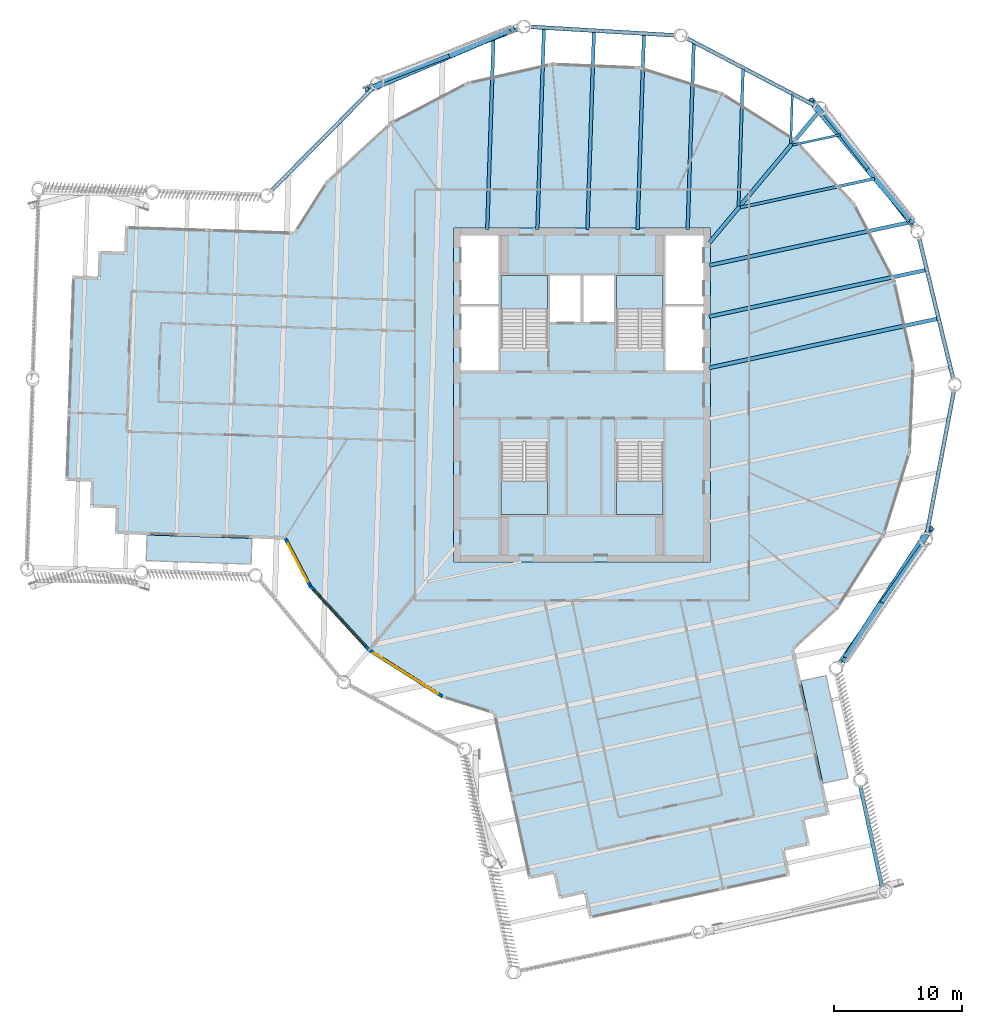
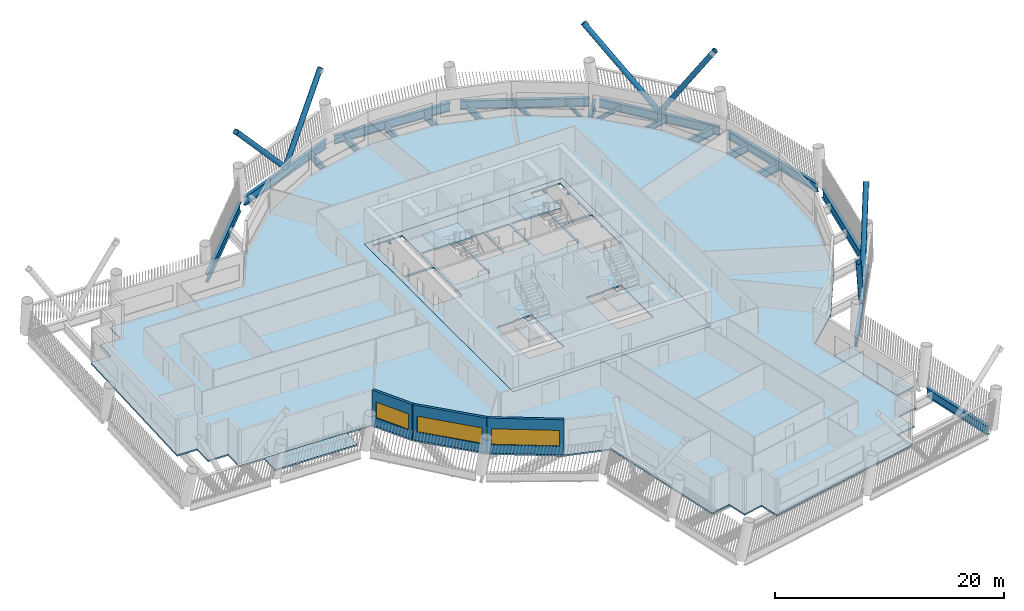
# One storey, part 2 of 21: 22 beams, 8 slabs, 6 members, 3 walls, 3 windows, 3 openings, 4 elements without a shape of their own.
"""IFC4 building model written with IfcOpenShell, lengths in metres."""

import ifcopenshell
import ifcopenshell.guid

model = None  # the IFC model being written
_history = None  # IfcOwnerHistory: only IFC2X3 demands one
_inside = {}  # id of a spatial element -> (the spatial element, [elements in it])
_under = {}  # id of a project, library or spatial element -> (it, [spatial elements below it])
_declared = {}  # id of a project -> (the project, [libraries it declares])
_typed = {}  # id of a type object -> (the type object, [elements of that type])
_made_of = {}  # id of a material, layer set ... -> (it, [elements and type objects made of it])


def new_model(schema):
    """Start an empty IFC model of exactly this schema.

    Asked for "IFC4X3", IfcOpenShell would pick the latest addendum, in which some entities
    have other attributes; the version numbers below select the first issue.
    IFC2X3 requires an IfcOwnerHistory on every rooted entity: one is made here for all.
    """
    global model, _history
    if schema == "IFC4X3":
        model = ifcopenshell.file(schema_version=(4, 3, 0, 0))
    else:
        model = ifcopenshell.file(schema=schema)
    _inside.clear()
    _under.clear()
    _declared.clear()
    _typed.clear()
    _made_of.clear()
    _history = None
    if model.schema == "IFC2X3":
        org = make("IfcOrganization", Name="unknown")
        user = make(
            "IfcPersonAndOrganization",
            ThePerson=make("IfcPerson", FamilyName="unknown"),
            TheOrganization=org,
        )
        app = make(
            "IfcApplication",
            ApplicationDeveloper=org,
            Version="unknown",
            ApplicationFullName="unknown",
            ApplicationIdentifier="unknown",
        )
        _history = make(
            "IfcOwnerHistory",
            OwningUser=user,
            OwningApplication=app,
            ChangeAction="ADDED",
            CreationDate=0,
        )
    return model


def make(cls, **values):
    """One entity of the class cls with the attributes given. An attribute that is None is left unset."""
    return model.create_entity(
        cls, **{name: value for name, value in values.items() if value is not None}
    )


def rooted(cls, **values):
    """An entity with a GlobalId (a new one), such as an element, a storey or a relation."""
    return make(cls, GlobalId=ifcopenshell.guid.new(), OwnerHistory=_history, **values)


def si_unit(unit_type, name, prefix=None):
    """IfcSIUnit, for example si_unit("LENGTHUNIT", "METRE", prefix="MILLI")."""
    return make("IfcSIUnit", UnitType=unit_type, Prefix=prefix, Name=name)


def assignment(units):
    """IfcUnitAssignment: the units of a project."""
    return None if units is None else make("IfcUnitAssignment", Units=units)


def point(xyz):
    """IfcCartesianPoint."""
    return None if xyz is None else make("IfcCartesianPoint", Coordinates=xyz)


def direction(xyz):
    """IfcDirection."""
    return None if xyz is None else make("IfcDirection", DirectionRatios=xyz)


def frame(location, z_axis=None, x_axis=None):
    """IfcAxis2Placement3D, a coordinate frame: its origin and axes. An axis left out is left unset."""
    return make(
        "IfcAxis2Placement3D",
        Location=point(location),
        Axis=direction(z_axis),
        RefDirection=direction(x_axis),
    )


def frame_2d(location, x_axis=None):
    """IfcAxis2Placement2D, a coordinate frame in the plane: its origin and x axis."""
    return make(
        "IfcAxis2Placement2D", Location=point(location), RefDirection=direction(x_axis)
    )


def origin():
    """The frame at (0, 0, 0) with its axes left unset."""
    return frame((0.0, 0.0, 0.0))


def origin_2d():
    """The frame at (0, 0) in the plane with its x axis left unset."""
    return frame_2d((0.0, 0.0))


def place(relative_to, where):
    """IfcLocalPlacement: puts the frame where relative to a parent placement (None: the world)."""
    return make(
        "IfcLocalPlacement", PlacementRelTo=relative_to, RelativePlacement=where
    )


def context(
    kind, dimensions, precision=None, world=None, true_north=None, identifier=None
):
    """IfcGeometricRepresentationContext, for example the 3D "Model" context."""
    return make(
        "IfcGeometricRepresentationContext",
        ContextIdentifier=identifier,
        ContextType=kind,
        CoordinateSpaceDimension=dimensions,
        Precision=precision,
        WorldCoordinateSystem=world,
        TrueNorth=true_north,
    )


def subcontext(parent, identifier, kind, view, scale=None):
    """IfcGeometricRepresentationSubContext, for example "Body" below "Model"."""
    return make(
        "IfcGeometricRepresentationSubContext",
        ContextIdentifier=identifier,
        ContextType=kind,
        ParentContext=parent,
        TargetScale=scale,
        TargetView=view,
    )


def project(units=None, contexts=None):
    """IfcProject with its units and contexts."""
    return rooted(
        "IfcProject",
        Name="project",
        RepresentationContexts=contexts,
        UnitsInContext=assignment(units),
    )


def spatial(cls, under=None, at=None, **own):
    """A site, building, storey or space (cls), placed at a placement, below another one or the project."""
    s = rooted(cls, ObjectPlacement=at, **own)
    if under is not None:
        _under.setdefault(under.id(), (under, []))[1].append(s)
    return s


def polyline(points):
    """IfcPolyline through the points."""
    return make("IfcPolyline", Points=[point(p) for p in points])


def profile(cls, at=None, kind="AREA", **sizes):
    """A parametric profile (cls). Its sizes go by their IFC names, for example OverallWidth=200.0."""
    return make(cls, ProfileType=kind, Position=at, **sizes)


def rectangle(**sizes):
    """IfcRectangleProfileDef."""
    return profile("IfcRectangleProfileDef", **sizes)


def hollow_circle(**sizes):
    """IfcCircleHollowProfileDef."""
    return profile("IfcCircleHollowProfileDef", **sizes)


def i_section(**sizes):
    """IfcIShapeProfileDef."""
    return profile("IfcIShapeProfileDef", **sizes)


def outline(outer, holes=None, kind="AREA"):
    """IfcArbitraryClosedProfileDef: a profile drawn as a closed curve; with holes, ...WithVoids."""
    if holes is None:
        return make("IfcArbitraryClosedProfileDef", ProfileType=kind, OuterCurve=outer)
    return make(
        "IfcArbitraryProfileDefWithVoids",
        ProfileType=kind,
        OuterCurve=outer,
        InnerCurves=holes,
    )


def extrude(swept, where, along, depth):
    """IfcExtrudedAreaSolid: the profile swept, set in the frame where, extruded along a direction by depth."""
    return make(
        "IfcExtrudedAreaSolid",
        SweptArea=swept,
        Position=where,
        ExtrudedDirection=direction(along),
        Depth=depth,
    )


def shape(context_of_items, identifier, shape_type, items):
    """IfcShapeRepresentation: the items that make up one representation, for example the "Body"."""
    return make(
        "IfcShapeRepresentation",
        ContextOfItems=context_of_items,
        RepresentationIdentifier=identifier,
        RepresentationType=shape_type,
        Items=items,
    )


def material(Name=None, Category=None):
    """IfcMaterial."""
    return make("IfcMaterial", Name=Name, Category=Category)


def layer(
    of_material, thickness, ventilated=None, Name=None, Category=None, Priority=None
):
    """IfcMaterialLayer: one layer of a wall or slab, of a material (None: an air gap)."""
    return make(
        "IfcMaterialLayer",
        Material=of_material,
        LayerThickness=thickness,
        IsVentilated=ventilated,
        Name=Name,
        Category=Category,
        Priority=Priority,
    )


def layer_set(layers, Name=None):
    """IfcMaterialLayerSet."""
    return make("IfcMaterialLayerSet", MaterialLayers=layers, LayerSetName=Name)


def material_profile(
    of_material, cross_section, Name=None, Category=None, Priority=None
):
    """IfcMaterialProfile: a cross section and its material."""
    return make(
        "IfcMaterialProfile",
        Name=Name,
        Material=of_material,
        Profile=cross_section,
        Priority=Priority,
        Category=Category,
    )


def profile_set(profiles, Name=None, composite=None):
    """IfcMaterialProfileSet."""
    return make(
        "IfcMaterialProfileSet",
        Name=Name,
        MaterialProfiles=profiles,
        CompositeProfile=composite,
    )


def made_of(thing, what):
    """Note that an element or type object is made of a material, layer set ...; save() writes the relation."""
    if what is not None:
        _made_of.setdefault(what.id(), (what, []))[1].append(thing)
    return thing


def type_object(cls, material=None, **own):
    """A type object (cls), such as IfcWallType, which elements share."""
    return made_of(rooted(cls, **own), material)


def element(
    cls,
    number,
    at=None,
    inside=None,
    cuts=None,
    type_object=None,
    material=None,
    context=None,
    identifier="Body",
    shape_type=None,
    held_by="IfcProductDefinitionShape",
    body=None,
    shapes=None,
    **own,
):
    """One element of the class cls, such as IfcWall. Its Tag is "e" and its number.

    at: its placement. inside: the storey or other place that contains it. cuts: it is an
    opening in that element (IfcRelVoidsElement). A single representation is given by context,
    identifier, shape_type and body (its items); several are given by shapes. held_by: the class
    of the entity that holds the representations. save() writes the other relations.
    """
    e = rooted(cls, Tag="e%d" % number, ObjectPlacement=at, **own)
    if body is not None:
        shapes = [shape(context, identifier, shape_type, body)]
    if shapes is not None:
        e.Representation = make(held_by, Representations=shapes)
    if inside is not None:
        _inside.setdefault(inside.id(), (inside, []))[1].append(e)
    if cuts is not None:
        rooted(
            "IfcRelVoidsElement", RelatingBuildingElement=cuts, RelatedOpeningElement=e
        )
    if type_object is not None:
        _typed.setdefault(type_object.id(), (type_object, []))[1].append(e)
    return made_of(e, material)


def fill(opening, filler):
    """IfcRelFillsElement: the door or window that sits in an opening."""
    return rooted(
        "IfcRelFillsElement",
        RelatingOpeningElement=opening,
        RelatedBuildingElement=filler,
    )


def aggregate(whole, parts):
    """IfcRelAggregates: a whole, such as a stair, and the parts it consists of."""
    return rooted("IfcRelAggregates", RelatingObject=whole, RelatedObjects=parts)


def save(model, path):
    """Write the relations noted so far, then the file.

    IfcRelAggregates (storeys below a building ...), IfcRelContainedInSpatialStructure (elements
    in a storey), IfcRelDefinesByType, IfcRelAssociatesMaterial and IfcRelDeclares: one each for
    every whole, place, type object, material and project.
    """
    for whole, parts in _under.values():
        aggregate(whole, parts)
    for where, things in _inside.values():
        rooted(
            "IfcRelContainedInSpatialStructure",
            RelatedElements=things,
            RelatingStructure=where,
        )
    for kind, things in _typed.values():
        rooted("IfcRelDefinesByType", RelatedObjects=things, RelatingType=kind)
    for what, things in _made_of.values():
        rooted("IfcRelAssociatesMaterial", RelatedObjects=things, RelatingMaterial=what)
    for by, libraries in _declared.values():
        rooted("IfcRelDeclares", RelatingContext=by, RelatedDefinitions=libraries)
    model.write(path)


model = new_model("IFC4")

# Units and contexts
model_context = context("Model", 3, precision=1e-05, world=origin(), true_north=direction((0.0, 1.0)))
body_context = subcontext(model_context, "Body", "Model", "MODEL_VIEW")
ifc_project = project(units=[si_unit("LENGTHUNIT", "METRE"), si_unit("AREAUNIT", "SQUARE_METRE"), si_unit("VOLUMEUNIT", "CUBIC_METRE"), si_unit("PLANEANGLEUNIT", "RADIAN"), si_unit("MASSUNIT", "GRAM", prefix="KILO")], contexts=[model_context])

# Site, building, storey
site_placement = place(None, origin())
site = spatial("IfcSite", under=ifc_project, at=site_placement, CompositionType="ELEMENT")
building_placement = place(site_placement, origin())
building = spatial("IfcBuilding", under=site, at=building_placement, Name="Tarsis Ring Headquarters", CompositionType="ELEMENT")
storey_placement = place(building_placement, frame((0.0, 0.0, 278.60009765625)))
storey = spatial("IfcBuildingStorey", under=building, at=storey_placement, Name="L65", CompositionType="ELEMENT", Elevation=278.60009765625)

# Beams
ifc_material_1 = material(Name="Structural steel S355", Category="steel")
ifc_material_profile_1 = material_profile(ifc_material_1, i_section(OverallWidth=0.177734375, OverallDepth=0.406494140625, WebThickness=0.0078125, FlangeThickness=0.0126953125, at=origin_2d()), Name="W16x40")
ifc_profile_set_1 = profile_set([ifc_material_profile_1], Name="Structural steel S355")
beam_type_1 = type_object("IfcBeamType", Name="FB Floor beam W16x40", PredefinedType="JOIST", material=ifc_profile_set_1)
for number, where, z_axis, x_axis, name in (
    (1, (16.39501953125, 19.476318359375, -0.36328125), (0.977700892267, 0.210002298227, 0.0), (-0.210002298227, 0.977700892267, 0.0), "Floor beam FB1"),
    (2, (16.37646484375, 23.3994140625, -0.36328125), (-0.032785036576, -0.999462426196, 0.0), (0.999462426196, -0.032785036576, 0.0), "Floor beam FB1"),
):
    element("IfcBeam", number, at=place(storey_placement, frame(where, z_axis=z_axis, x_axis=x_axis)), inside=storey, type_object=beam_type_1, Name=name, PredefinedType="JOIST", context=body_context, shape_type="SweptSolid", body=[
        extrude(i_section(OverallWidth=0.177734375, OverallDepth=0.406494140625, WebThickness=0.0078125, FlangeThickness=0.0126953125, at=origin_2d()), origin(), (0.0, 0.0, 1.0), 3.80517578125),
    ])
ifc_material_profile_2 = material_profile(ifc_material_1, i_section(OverallWidth=0.228271484375, OverallDepth=0.607177734375, WebThickness=0.01123046875, FlangeThickness=0.017333984375, at=origin_2d()), Name="W24x76")
ifc_profile_set_2 = profile_set([ifc_material_profile_2], Name="Structural steel S355")
beam_type_2 = type_object("IfcBeamType", Name="FB Floor beam W24x76", PredefinedType="JOIST", material=ifc_profile_set_2)
for number, where, z_axis, x_axis, name in (
    (3, (12.333251953125, 14.615234375, -0.463623046875), (0.977709024148, 0.20996443532, 0.0), (-0.20996443532, 0.977709024148, 0.0), "Floor beam FB4"),
    (4, (12.54052734375, 25.4140625, -0.463623046875), (-0.032811933347, -0.999461543547, 0.0), (0.999461543547, -0.032811933347, 0.0), "Floor beam FB4"),
):
    element("IfcBeam", number, at=place(storey_placement, frame(where, z_axis=z_axis, x_axis=x_axis)), inside=storey, type_object=beam_type_2, Name=name, PredefinedType="JOIST", context=body_context, shape_type="SweptSolid", body=[
        extrude(i_section(OverallWidth=0.228271484375, OverallDepth=0.607177734375, WebThickness=0.01123046875, FlangeThickness=0.017333984375, at=origin_2d()), origin(), (0.0, 0.0, 1.0), 10.684814453125),
    ])
ifc_material_profile_3 = material_profile(ifc_material_1, i_section(OverallWidth=0.2666015625, OverallDepth=0.7568359375, WebThickness=0.013916015625, FlangeThickness=0.019287109375, at=origin_2d()), Name="W30x108")
ifc_profile_set_3 = profile_set([ifc_material_profile_3], Name="Structural steel S355")
beam_type_3 = type_object("IfcBeamType", Name="FB Floor beam W30x108", PredefinedType="JOIST", material=ifc_profile_set_3)
beam_1_placement = place(storey_placement, frame((8.70458984375, 27.4287109375, -0.53857421875), z_axis=(-0.032817682825, -0.999461354778, 0.0), x_axis=(0.999461354778, -0.032817682825, 0.0)))
element("IfcBeam", 5, at=beam_1_placement, inside=storey, type_object=beam_type_3, Name="Floor beam FB6", PredefinedType="JOIST", context=body_context, shape_type="SweptSolid", body=[
    extrude(i_section(OverallWidth=0.2666015625, OverallDepth=0.7568359375, WebThickness=0.013916015625, FlangeThickness=0.019287109375, at=origin_2d()), origin(), (0.0, 0.0, 1.0), 14.536376953125),
])
beam_2_placement = place(storey_placement, frame((4.82470703125, 28.105712890625, -0.53857421875), z_axis=(-0.032816841576, -0.9994613824, 0.0), x_axis=(0.9994613824, -0.032816841576, 0.0)))
element("IfcBeam", 6, at=beam_2_placement, inside=storey, type_object=beam_type_3, Name="Floor beam FB6", PredefinedType="JOIST", context=body_context, shape_type="SweptSolid", body=[
    extrude(i_section(OverallWidth=0.2666015625, OverallDepth=0.7568359375, WebThickness=0.013916015625, FlangeThickness=0.019287109375, at=origin_2d()), origin(), (0.0, 0.0, 1.0), 15.2138671875),
])
beam_3_placement = place(storey_placement, frame((0.93017578125, 28.3349609375, -0.53857421875), z_axis=(-0.032819500619, -0.999461295088, 0.0), x_axis=(0.999461295088, -0.032819500619, 0.0)))
element("IfcBeam", 7, at=beam_3_placement, inside=storey, type_object=beam_type_3, Name="Floor beam FB6", PredefinedType="JOIST", context=body_context, shape_type="SweptSolid", body=[
    extrude(i_section(OverallWidth=0.2666015625, OverallDepth=0.7568359375, WebThickness=0.013916015625, FlangeThickness=0.019287109375, at=origin_2d()), origin(), (0.0, 0.0, 1.0), 15.443115234375),
])
beam_4_placement = place(storey_placement, frame((-2.964599609375, 28.56396484375, -0.53857421875), z_axis=(-0.032807031743, -0.999461704453, 0.0), x_axis=(0.999461704453, -0.032807031743, 0.0)))
element("IfcBeam", 8, at=beam_4_placement, inside=storey, type_object=beam_type_3, Name="Floor beam FB6", PredefinedType="JOIST", context=body_context, shape_type="SweptSolid", body=[
    extrude(i_section(OverallWidth=0.2666015625, OverallDepth=0.7568359375, WebThickness=0.013916015625, FlangeThickness=0.019287109375, at=origin_2d()), origin(), (0.0, 0.0, 1.0), 15.67236328125),
])
beam_5_placement = place(storey_placement, frame((-6.89501953125, 27.7001953125, -0.53857421875), z_axis=(-0.032809235214, -0.999461632122, 0.0), x_axis=(0.999461632122, -0.032809235214, 0.0)))
element("IfcBeam", 9, at=beam_5_placement, inside=storey, type_object=beam_type_3, Name="Floor beam FB6", PredefinedType="JOIST", context=body_context, shape_type="SweptSolid", body=[
    extrude(i_section(OverallWidth=0.2666015625, OverallDepth=0.7568359375, WebThickness=0.013916015625, FlangeThickness=0.019287109375, at=origin_2d()), origin(), (0.0, 0.0, 1.0), 14.80810546875),
])
ifc_material_profile_4 = material_profile(ifc_material_1, i_section(OverallWidth=0.2919921875, OverallDepth=0.835693359375, WebThickness=0.013916015625, FlangeThickness=0.018798828125, at=origin_2d()), Name="W33x118")
ifc_profile_set_4 = profile_set([ifc_material_profile_4], Name="Structural steel S355")
beam_type_4 = type_object("IfcBeamType", Name="FB Floor beam W33x118", PredefinedType="JOIST", material=ifc_profile_set_4)
beam_6_placement = place(storey_placement, frame((9.90234375, 10.104248046875, -0.577880859375), z_axis=(0.977709268848, 0.20996329586, 0.0), x_axis=(-0.20996329586, 0.977709268848, 0.0)))
element("IfcBeam", 10, at=beam_6_placement, inside=storey, type_object=beam_type_4, Name="Floor beam FB7", PredefinedType="JOIST", context=body_context, shape_type="SweptSolid", body=[
    extrude(i_section(OverallWidth=0.2919921875, OverallDepth=0.835693359375, WebThickness=0.013916015625, FlangeThickness=0.018798828125, at=origin_2d()), origin(), (0.0, 0.0, 1.0), 15.896240234375),
])
beam_7_placement = place(storey_placement, frame((9.90234375, 6.115478515625, -0.577880859375), z_axis=(0.977711364809, 0.209953535631, 0.0), x_axis=(-0.209953535631, 0.977711364809, 0.0)))
element("IfcBeam", 11, at=beam_7_placement, inside=storey, type_object=beam_type_4, Name="Floor beam FB7", PredefinedType="JOIST", context=body_context, shape_type="SweptSolid", body=[
    extrude(i_section(OverallWidth=0.2919921875, OverallDepth=0.835693359375, WebThickness=0.013916015625, FlangeThickness=0.018798828125, at=origin_2d()), origin(), (0.0, 0.0, 1.0), 17.283203125),
])
ifc_material_profile_5 = material_profile(ifc_material_1, i_section(OverallWidth=0.3046875, OverallDepth=0.904296875, WebThickness=0.01513671875, FlangeThickness=0.02001953125, at=origin_2d()), Name="W36x135")
ifc_profile_set_5 = profile_set([ifc_material_profile_5], Name="Structural steel S355")
beam_type_5 = type_object("IfcBeamType", Name="FB Floor beam W36x135", PredefinedType="JOIST", material=ifc_profile_set_5)
beam_8_placement = place(storey_placement, frame((9.90234375, 2.12646484375, -0.6123046875), z_axis=(0.977709774078, 0.209960943207, 0.0), x_axis=(-0.209960943207, 0.977709774078, 0.0)))
element("IfcBeam", 12, at=beam_8_placement, inside=storey, type_object=beam_type_5, Name="Floor beam FB8", PredefinedType="JOIST", context=body_context, shape_type="SweptSolid", body=[
    extrude(i_section(OverallWidth=0.3046875, OverallDepth=0.904296875, WebThickness=0.01513671875, FlangeThickness=0.02001953125, at=origin_2d()), origin(), (0.0, 0.0, 1.0), 18.22216796875),
])
ifc_material_profile_6 = material_profile(ifc_material_1, i_section(OverallWidth=0.309814453125, OverallDepth=0.949951171875, WebThickness=0.0244140625, FlangeThickness=0.0439453125, at=origin_2d()), Name="W36x256")
ifc_profile_set_6 = profile_set([ifc_material_profile_6], Name="Structural steel S355")
beam_type_6 = type_object("IfcBeamType", Name="FB Floor beam W36x256 spine", PredefinedType="BEAM", material=ifc_profile_set_6)
beam_9_placement = place(storey_placement, frame((18.587890625, 22.24658203125, -0.635009765625), z_axis=(-0.641187553773, -0.767384206826, 0.0), x_axis=(0.767384206826, -0.641187553773, 0.0)))
element("IfcBeam", 13, at=beam_9_placement, inside=storey, type_object=beam_type_6, Name="Floor beam SB11", PredefinedType="BEAM", context=body_context, shape_type="SweptSolid", body=[
    extrude(i_section(OverallWidth=0.309814453125, OverallDepth=0.949951171875, WebThickness=0.0244140625, FlangeThickness=0.0439453125, at=origin_2d()), origin(), (0.0, 0.0, 1.0), 13.493896484375),
])

# Members
ifc_material_profile_7 = material_profile(ifc_material_1, hollow_circle(Radius=0.25390625, WallThickness=0.02001953125, at=origin_2d()), Name="CHS 508x20")
ifc_profile_set_7 = profile_set([ifc_material_profile_7], Name="Structural steel S355")
member_type = type_object("IfcMemberType", Name="XD X brace CHS 508x20", PredefinedType="BRACE", material=ifc_profile_set_7)
member_1_placement = place(storey_placement, frame((23.23779296875, -16.31884765625, 0.0), z_axis=(0.369224669833, 0.563815112411, 0.738773078965), x_axis=(-0.836577717628, 0.547848265826, 0.0)))
element("IfcMember", 14, at=member_1_placement, inside=storey, type_object=member_type, Name="X brace XD2", PredefinedType="BRACE", context=body_context, shape_type="SweptSolid", body=[
    extrude(hollow_circle(Radius=0.25390625, WallThickness=0.02001953125, at=origin_2d()), origin(), (0.0, 0.0, 1.0), 10.557861328125),
])
member_2_placement = place(storey_placement, frame((23.23779296875, -16.31884765625, 0.0), z_axis=(-0.298483812329, -0.461687732841, 0.835315420139), x_axis=(0.839781901122, -0.542923897565, 0.0)))
element("IfcMember", 15, at=member_2_placement, inside=storey, type_object=member_type, Name="X brace XD2", PredefinedType="BRACE", context=body_context, shape_type="SweptSolid", body=[
    extrude(hollow_circle(Radius=0.25390625, WallThickness=0.02001953125, at=origin_2d()), origin(), (0.0, 0.0, 1.0), 9.337646484375),
])
member_3_placement = place(storey_placement, frame((22.3916015625, 17.4619140625, 0.0), z_axis=(-0.431475274845, 0.517728706174, 0.738773357669), x_axis=(-0.768195967373, -0.640214773113, 0.0)))
element("IfcMember", 16, at=member_3_placement, inside=storey, type_object=member_type, Name="X brace XD2", PredefinedType="BRACE", context=body_context, shape_type="SweptSolid", body=[
    extrude(hollow_circle(Radius=0.25390625, WallThickness=0.02001953125, at=origin_2d()), origin(), (0.0, 0.0, 1.0), 10.557861328125),
])
member_4_placement = place(storey_placement, frame((22.3916015625, 17.4619140625, 0.0), z_axis=(0.354439307808, -0.420249556978, 0.835322145606), x_axis=(0.764422588465, 0.644715523501, 0.0)))
element("IfcMember", 17, at=member_4_placement, inside=storey, type_object=member_type, Name="X brace XD2", PredefinedType="BRACE", context=body_context, shape_type="SweptSolid", body=[
    extrude(hollow_circle(Radius=0.25390625, WallThickness=0.02001953125, at=origin_2d()), origin(), (0.0, 0.0, 1.0), 9.33740234375),
])
member_5_placement = place(storey_placement, frame((-10.1650390625, 26.513671875, 0.0), z_axis=(-0.621121733022, -0.261560235376, 0.738778746336), x_axis=(0.388101483927, -0.921616643824, 0.0)))
element("IfcMember", 18, at=member_5_placement, inside=storey, type_object=member_type, Name="X brace XD2", PredefinedType="BRACE", context=body_context, shape_type="SweptSolid", body=[
    extrude(hollow_circle(Radius=0.25390625, WallThickness=0.02001953125, at=origin_2d()), origin(), (0.0, 0.0, 1.0), 10.5576171875),
])
member_6_placement = place(storey_placement, frame((-10.1650390625, 26.513671875, 0.0), z_axis=(0.505430136483, 0.216306632824, 0.835315400152), x_axis=(-0.393448585231, 0.919346621672, 0.0)))
element("IfcMember", 19, at=member_6_placement, inside=storey, type_object=member_type, Name="X brace XD2", PredefinedType="BRACE", context=body_context, shape_type="SweptSolid", body=[
    extrude(hollow_circle(Radius=0.25390625, WallThickness=0.02001953125, at=origin_2d()), origin(), (0.0, 0.0, 1.0), 9.337646484375),
])

# Beams
ifc_material_profile_8 = material_profile(ifc_material_1, i_section(OverallWidth=0.309814453125, OverallDepth=0.93212890625, WebThickness=0.02099609375, FlangeThickness=0.034423828125, at=origin_2d()), Name="W36x210")
ifc_profile_set_8 = profile_set([ifc_material_profile_8], Name="Structural steel S355")
beam_type_7 = type_object("IfcBeamType", Name="XG Ring girder W36x210", PredefinedType="BEAM", material=ifc_profile_set_8)
beam_10_placement = place(storey_placement, frame((23.3603515625, -38.29150390625, -0.46630859375), z_axis=(-0.209944442686, 0.977713317381, 0.0), x_axis=(-0.977713317381, -0.209944442686, 0.0)))
element("IfcBeam", 20, at=beam_10_placement, inside=storey, type_object=beam_type_7, Name="Ring girder XG3", PredefinedType="BEAM", context=body_context, shape_type="SweptSolid", body=[
    extrude(i_section(OverallWidth=0.309814453125, OverallDepth=0.93212890625, WebThickness=0.02099609375, FlangeThickness=0.034423828125, at=origin_2d()), origin(), (0.0, 0.0, 1.0), 7.98779296875),
])
for number, where, z_axis, x_axis, name in (
    (21, (19.98095703125, -20.956787109375, -0.46630859375), (0.574703476868, 0.818361725447, 0.0), (-0.818361725447, 0.574703476868, 0.0), "Ring girder XG3"),
    (22, (26.8427734375, -10.857666015625, -0.46630859375), (0.186297444448, 0.982493390406, 0.0), (-0.982493390406, 0.186297444448, 0.0), "Ring girder XG3"),
    (23, (28.931884765625, 1.171875, -0.46630859375), (-0.235256011697, 0.971933438544, 0.0), (-0.971933438544, -0.235256011697, 0.0), "Ring girder XG3"),
):
    element("IfcBeam", number, at=place(storey_placement, frame(where, z_axis=z_axis, x_axis=x_axis)), inside=storey, type_object=beam_type_7, Name=name, PredefinedType="BEAM", context=body_context, shape_type="SweptSolid", body=[
        extrude(i_section(OverallWidth=0.309814453125, OverallDepth=0.93212890625, WebThickness=0.02099609375, FlangeThickness=0.034423828125, at=origin_2d()), origin(), (0.0, 0.0, 1.0), 11.33447265625),
    ])
beam_11_placement = place(storey_placement, frame((25.876708984375, 12.9931640625, -0.46630859375), z_axis=(-0.614964567925, 0.788554741407, 0.0), x_axis=(-0.788554741407, -0.614964567925, 0.0)))
element("IfcBeam", 24, at=beam_11_placement, inside=storey, type_object=beam_type_7, Name="Ring girder XG3", PredefinedType="BEAM", context=body_context, shape_type="SweptSolid", body=[
    extrude(i_section(OverallWidth=0.309814453125, OverallDepth=0.93212890625, WebThickness=0.02099609375, FlangeThickness=0.034423828125, at=origin_2d()), origin(), (0.0, 0.0, 1.0), 11.334228515625),
])
beam_12_placement = place(storey_placement, frame((18.220703125, 22.504150390625, -0.46630859375), z_axis=(-0.885322982725, 0.464976576032, 0.0), x_axis=(-0.464976576032, -0.885322982725, 0.0)))
element("IfcBeam", 25, at=beam_12_placement, inside=storey, type_object=beam_type_7, Name="Ring girder XG3", PredefinedType="BEAM", context=body_context, shape_type="SweptSolid", body=[
    extrude(i_section(OverallWidth=0.309814453125, OverallDepth=0.93212890625, WebThickness=0.02099609375, FlangeThickness=0.034423828125, at=origin_2d()), origin(), (0.0, 0.0, 1.0), 11.33447265625),
])
beam_13_placement = place(storey_placement, frame((7.32470703125, 28.013671875, -0.46630859375), z_axis=(-0.998273333154, 0.058739699633, 0.0), x_axis=(-0.058739699633, -0.998273333154, 0.0)))
element("IfcBeam", 26, at=beam_13_placement, inside=storey, type_object=beam_type_7, Name="Ring girder XG3", PredefinedType="BEAM", context=body_context, shape_type="SweptSolid", body=[
    extrude(i_section(OverallWidth=0.309814453125, OverallDepth=0.93212890625, WebThickness=0.02099609375, FlangeThickness=0.034423828125, at=origin_2d()), origin(), (0.0, 0.0, 1.0), 11.334228515625),
])
beam_14_placement = place(storey_placement, frame((-4.873291015625, 28.54248046875, -0.46630859375), z_axis=(-0.933735318459, -0.357964181256, 0.0), x_axis=(0.357964181256, -0.933735318459, 0.0)))
element("IfcBeam", 27, at=beam_14_placement, inside=storey, type_object=beam_type_7, Name="Ring girder XG3", PredefinedType="BEAM", context=body_context, shape_type="SweptSolid", body=[
    extrude(i_section(OverallWidth=0.309814453125, OverallDepth=0.93212890625, WebThickness=0.02099609375, FlangeThickness=0.034423828125, at=origin_2d()), origin(), (0.0, 0.0, 1.0), 11.33447265625),
])
beam_15_placement = place(storey_placement, frame((-16.205078125, 23.996337890625, -0.46630859375), z_axis=(-0.703154082445, -0.711037506987, 0.0), x_axis=(0.711037506987, -0.703154082445, 0.0)))
element("IfcBeam", 28, at=beam_15_placement, inside=storey, type_object=beam_type_7, Name="Ring girder XG3", PredefinedType="BEAM", context=body_context, shape_type="SweptSolid", body=[
    extrude(i_section(OverallWidth=0.309814453125, OverallDepth=0.93212890625, WebThickness=0.02099609375, FlangeThickness=0.034423828125, at=origin_2d()), origin(), (0.0, 0.0, 1.0), 11.334716796875),
])

# Slabs
ifc_material_2 = material(Name="Concrete C40/50", Category="concrete")
ifc_layer_1 = layer(ifc_material_2, 0.159912109375)
ifc_layer_set_1 = layer_set([ifc_layer_1], Name="Balcony slab concrete C40/50")
slab_type_1 = type_object("IfcSlabType", Name="Balcony slab concrete C40/50", PredefinedType="FLOOR", material=ifc_layer_set_1)
slab_1_placement = place(storey_placement, frame((0.0, 0.0, -0.16015625)))
element("IfcSlab", 29, at=slab_1_placement, inside=storey, type_object=slab_type_1, Name="Balcony slab L65-01", PredefinedType="FLOOR", context=body_context, shape_type="SweptSolid", body=[
    extrude(outline(polyline([(-33.875732421875, -10.89453125), (-33.941162109375, -12.8935546875), (-25.773681640625, -13.16162109375), (-25.7080078125, -11.16259765625), (-33.875732421875, -10.89453125)])), origin(), (0.0, 0.0, 1.0), 0.16015625),
])
slab_2_placement = place(storey_placement, frame((0.0, 0.0, -0.16015625)))
element("IfcSlab", 30, at=slab_2_placement, inside=storey, type_object=slab_type_1, Name="Balcony slab L65-16", PredefinedType="FLOOR", context=body_context, shape_type="SweptSolid", body=[
    extrude(outline(polyline([(18.76611328125, -30.23388671875), (20.7216796875, -29.81396484375), (19.01025390625, -21.84423828125), (17.0546875, -22.26416015625), (18.76611328125, -30.23388671875)])), origin(), (0.0, 0.0, 1.0), 0.16015625),
])
ifc_layer_2 = layer(ifc_material_2, 0.159912109375)
ifc_layer_set_2 = layer_set([ifc_layer_2], Name="Core floor slab 160 C40/50")
slab_type_2 = type_object("IfcSlabType", Name="Core floor slab 160 C40/50", PredefinedType="FLOOR", material=ifc_layer_set_2)
slab_3_placement = place(storey_placement, frame((0.0, 0.0, -0.16015625)))
element("IfcSlab", 31, at=slab_3_placement, inside=storey, type_object=slab_type_2, Name="L65 core floor slab", PredefinedType="FLOOR", context=body_context, shape_type="SweptSolid", body=[
    extrude(outline(polyline([(-10.0, -13.0), (10.0, -13.0), (10.0, 13.0), (-10.0, 13.0), (-10.0, -13.0)]), holes=[polyline([(-2.5, 5.699951171875), (-0.10009765625, 5.699951171875), (-0.10009765625, 9.300048828125), (-2.5, 9.300048828125), (-2.5, 5.699951171875)]), polyline([(0.10009765625, 5.699951171875), (2.5, 5.699951171875), (2.5, 9.300048828125), (0.10009765625, 9.300048828125), (0.10009765625, 5.699951171875)]), polyline([(-9.449951171875, 1.89990234375), (-6.5, 1.89990234375), (-6.5, 6.89990234375), (-9.449951171875, 6.89990234375), (-9.449951171875, 1.89990234375)]), polyline([(-9.449951171875, 7.10009765625), (-6.5, 7.10009765625), (-6.5, 12.449951171875), (-9.449951171875, 12.449951171875), (-9.449951171875, 7.10009765625)]), polyline([(6.5, 1.89990234375), (9.449951171875, 1.89990234375), (9.449951171875, 6.89990234375), (6.5, 6.89990234375), (6.5, 1.89990234375)]), polyline([(6.5, 7.10009765625), (9.449951171875, 7.10009765625), (9.449951171875, 12.449951171875), (6.5, 12.449951171875), (6.5, 7.10009765625)]), polyline([(-2.699951171875, 3.760009765625), (-2.699951171875, 9.300048828125), (-6.300048828125, 9.300048828125), (-6.300048828125, 3.659912109375), (-4.4599609375, 3.659912109375), (-4.4599609375, 3.760009765625), (-2.699951171875, 3.760009765625)]), polyline([(6.300048828125, 3.760009765625), (6.300048828125, 9.300048828125), (2.699951171875, 9.300048828125), (2.699951171875, 3.659912109375), (4.5400390625, 3.659912109375), (4.5400390625, 3.760009765625), (6.300048828125, 3.760009765625)]), polyline([(-6.300048828125, -3.760009765625), (-6.300048828125, -9.300048828125), (-2.699951171875, -9.300048828125), (-2.699951171875, -3.659912109375), (-4.5400390625, -3.659912109375), (-4.5400390625, -3.760009765625), (-6.300048828125, -3.760009765625)]), polyline([(2.699951171875, -3.760009765625), (2.699951171875, -9.300048828125), (6.300048828125, -9.300048828125), (6.300048828125, -3.659912109375), (4.4599609375, -3.659912109375), (4.4599609375, -3.760009765625), (2.699951171875, -3.760009765625)])]), origin(), (0.0, 0.0, 1.0), 0.16015625),
])

# Stair, slab
ifc_material_3 = material(Name="Core stair 1760")
stair_type = type_object("IfcStairType", Name="Core stair 1760", PredefinedType="HALF_TURN_STAIR", material=ifc_material_3)
stair_1_placement = place(storey_placement, origin())
stair_1 = element("IfcStair", 32, at=stair_1_placement, inside=storey, type_object=stair_type, Name="L65 Firefighting stair", PredefinedType="HALF_TURN_STAIR")
ifc_layer_3 = layer(ifc_material_2, 0.199951171875)
ifc_layer_set_3 = layer_set([ifc_layer_3], Name="Core stair landing 200")
slab_type_3 = type_object("IfcSlabType", Name="Core stair landing 200", PredefinedType="LANDING", material=ifc_layer_set_3)
slab_4_placement = place(storey_placement, frame((0.0, 0.0, 1.75)))
slab_4 = element("IfcSlab", 33, at=slab_4_placement, type_object=slab_type_3, Name="Stair ST1 landing 1", PredefinedType="LANDING", context=body_context, shape_type="SweptSolid", body=[
    extrude(outline(polyline([(-2.699951171875, 6.739990234375), (-2.699951171875, 9.300048828125), (-6.300048828125, 9.300048828125), (-6.300048828125, 6.739990234375), (-2.699951171875, 6.739990234375)])), origin(), (0.0, 0.0, 1.0), 0.199951171875),
])
aggregate(stair_1, [slab_4])

stair_2_placement = place(storey_placement, origin())
stair_2 = element("IfcStair", 34, at=stair_2_placement, inside=storey, type_object=stair_type, Name="L65 Exit stair B", PredefinedType="HALF_TURN_STAIR")
slab_5_placement = place(storey_placement, frame((0.0, 0.0, 1.75)))
slab_5 = element("IfcSlab", 35, at=slab_5_placement, type_object=slab_type_3, Name="Stair ST2 landing 1", PredefinedType="LANDING", context=body_context, shape_type="SweptSolid", body=[
    extrude(outline(polyline([(6.300048828125, 6.739990234375), (6.300048828125, 9.300048828125), (2.699951171875, 9.300048828125), (2.699951171875, 6.739990234375), (6.300048828125, 6.739990234375)])), origin(), (0.0, 0.0, 1.0), 0.199951171875),
])
aggregate(stair_2, [slab_5])

stair_3_placement = place(storey_placement, origin())
stair_3 = element("IfcStair", 36, at=stair_3_placement, inside=storey, type_object=stair_type, Name="L65 Exit stair C", PredefinedType="HALF_TURN_STAIR")
slab_6_placement = place(storey_placement, frame((0.0, 0.0, 1.75)))
slab_6 = element("IfcSlab", 37, at=slab_6_placement, type_object=slab_type_3, Name="Stair ST3 landing 1", PredefinedType="LANDING", context=body_context, shape_type="SweptSolid", body=[
    extrude(outline(polyline([(-6.300048828125, -6.739990234375), (-6.300048828125, -9.300048828125), (-2.699951171875, -9.300048828125), (-2.699951171875, -6.739990234375), (-6.300048828125, -6.739990234375)])), origin(), (0.0, 0.0, 1.0), 0.199951171875),
])
aggregate(stair_3, [slab_6])

stair_4_placement = place(storey_placement, origin())
stair_4 = element("IfcStair", 38, at=stair_4_placement, inside=storey, type_object=stair_type, Name="L65 Exit stair D", PredefinedType="HALF_TURN_STAIR")
slab_7_placement = place(storey_placement, frame((0.0, 0.0, 1.75)))
slab_7 = element("IfcSlab", 39, at=slab_7_placement, type_object=slab_type_3, Name="Stair ST4 landing 1", PredefinedType="LANDING", context=body_context, shape_type="SweptSolid", body=[
    extrude(outline(polyline([(2.699951171875, -6.739990234375), (2.699951171875, -9.300048828125), (6.300048828125, -9.300048828125), (6.300048828125, -6.739990234375), (2.699951171875, -6.739990234375)])), origin(), (0.0, 0.0, 1.0), 0.199951171875),
])
aggregate(stair_4, [slab_7])

# Slab
ifc_material_4 = material(Name="Concrete C35/45", Category="concrete")
ifc_layer_4 = layer(ifc_material_4, 0.159912109375)
ifc_layer_set_4 = layer_set([ifc_layer_4], Name="FS Composite floor slab 160")
slab_type_4 = type_object("IfcSlabType", Name="FS Composite floor slab 160", PredefinedType="FLOOR", material=ifc_layer_set_4)
slab_8_placement = place(storey_placement, frame((0.0, 0.0, -0.16015625)))
element("IfcSlab", 40, at=slab_8_placement, inside=storey, type_object=slab_type_4, Name="Floor slab L65", PredefinedType="FLOOR", context=body_context, shape_type="SweptSolid", body=[
    extrude(outline(polyline([(-23.20947265625, -11.24462890625), (-21.2666015625, -14.95751953125), (-16.670654296875, -19.9521484375), (-10.938720703125, -23.5869140625), (-6.939453125, -24.838623046875), (-4.174072265625, -37.717041015625), (-2.218505859375, -37.297119140625), (-1.798583984375, -39.252685546875), (0.15673828125, -38.832763671875), (0.57666015625, -40.7880859375), (16.219970703125, -37.4287109375), (15.800048828125, -35.473388671875), (17.755615234375, -35.053466796875), (17.335693359375, -33.097900390625), (19.291015625, -32.677978515625), (16.52978515625, -19.81982421875), (19.9521484375, -16.670654296875), (23.5869140625, -10.938720703125), (25.614501953125, -4.461181640625), (25.896240234375, 2.3203125), (24.413330078125, 8.943603515625), (21.2666015625, 14.95751953125), (16.670654296875, 19.9521484375), (10.938720703125, 23.5869140625), (4.461181640625, 25.614501953125), (-2.3203125, 25.896240234375), (-8.943603515625, 24.413330078125), (-14.95751953125, 21.2666015625), (-19.9521484375, 16.670654296875), (-22.442626953125, 12.7431640625), (-35.5869140625, 13.174560546875), (-35.652587890625, 11.175537109375), (-37.6513671875, 11.2412109375), (-37.717041015625, 9.242431640625), (-39.716064453125, 9.307861328125), (-40.240966796875, -6.683349609375), (-38.241943359375, -6.7490234375), (-38.3076171875, -8.748046875), (-36.30859375, -8.8134765625), (-36.374267578125, -10.8125), (-23.20947265625, -11.24462890625)]), holes=[polyline([(-10.0, -13.0), (-10.0, 13.0), (10.0, 13.0), (10.0, -13.0), (-10.0, -13.0)])]), origin(), (0.0, 0.0, 1.0), 0.16015625),
])

# Wall, opening, window
ifc_material_5 = material(Name="Terracotta clad insulated panel wall", Category="masonry")
ifc_layer_5 = layer(ifc_material_5, 0.25)
ifc_layer_set_5 = layer_set([ifc_layer_5], Name="Facade wall terracotta panel 250")
wall_type = type_object("IfcWallType", Name="Facade wall terracotta panel 250", PredefinedType="STANDARD", material=ifc_layer_set_5)
wall_1_placement = place(storey_placement, frame((-23.0986328125, -11.186767578125, 0.0), z_axis=(0.0, 0.0, 1.0), x_axis=(0.463627334776, -0.886030301089, 0.0)))
wall_1 = element("IfcWall", 41, at=wall_1_placement, inside=storey, type_object=wall_type, Name="External wall L65-02", PredefinedType="STANDARD", context=body_context, shape_type="SweptSolid", body=[
    extrude(rectangle(XDim=4.157470703125, YDim=0.25, at=frame_2d((2.07861328125, 0.0))), origin(), (0.0, 0.0, 1.0), 3.739990234375),
])
opening_1_placement = place(wall_1_placement, frame((0.420166015625, 0.0, 0.89990234375)))
opening_1 = element("IfcOpeningElement", 42, at=opening_1_placement, cuts=wall_1, Name="Opening WN01", PredefinedType="OPENING", context=body_context, shape_type="SweptSolid", body=[
    extrude(rectangle(XDim=3.35009765625, YDim=1.699951171875, at=frame_2d((1.675048828125, 0.85009765625))), frame((0.0, 0.135009765625, 0.0), z_axis=(0.0, -1.0, 0.0), x_axis=(1.0, 0.0, 0.0)), (0.0, 0.0, 1.0), 0.27001953125),
])
ifc_material_6 = material(Name="Aluminium framed double glazing", Category="aluminium")
window_type_1 = type_object("IfcWindowType", Name="Facade window 3350 x 1700", PartitioningType="SINGLE_PANEL", PredefinedType="WINDOW", material=ifc_material_6)
window_1_placement = place(opening_1_placement, origin())
window_1 = element("IfcWindow", 43, at=window_1_placement, inside=storey, type_object=window_type_1, Name="Window L65-02.1", OverallHeight=1.699951171875, OverallWidth=3.35009765625, PartitioningType="SINGLE_PANEL", PredefinedType="WINDOW", context=body_context, shape_type="SweptSolid", body=[
    extrude(rectangle(XDim=3.35009765625, YDim=1.699951171875, at=frame_2d((1.675048828125, 0.85009765625))), frame((0.0, 0.030029296875, 0.0), z_axis=(0.0, -1.0, 0.0), x_axis=(1.0, 0.0, 0.0)), (0.0, 0.0, 1.0), 0.06005859375),
])
fill(opening_1, window_1)

wall_2_placement = place(storey_placement, frame((-21.15234375, -14.897216796875, 0.0), z_axis=(0.0, 0.0, 1.0), x_axis=(0.677129708166, -0.735863681886, 0.0)))
wall_2 = element("IfcWall", 44, at=wall_2_placement, inside=storey, type_object=wall_type, Name="External wall L65-03", PredefinedType="STANDARD", context=body_context, shape_type="SweptSolid", body=[
    extrude(rectangle(XDim=6.721435546875, YDim=0.25, at=frame_2d((3.36083984375, 0.0))), origin(), (0.0, 0.0, 1.0), 3.739990234375),
])
opening_2_placement = place(wall_2_placement, frame((0.3857421875, 0.0, 0.89990234375)))
opening_2 = element("IfcOpeningElement", 45, at=opening_2_placement, cuts=wall_2, Name="Opening WN07", PredefinedType="OPENING", context=body_context, shape_type="SweptSolid", body=[
    extrude(rectangle(XDim=5.949951171875, YDim=1.699951171875, at=frame_2d((2.97509765625, 0.85009765625))), frame((0.0, 0.135009765625, 0.0), z_axis=(0.0, -1.0, 0.0), x_axis=(1.0, 0.0, 0.0)), (0.0, 0.0, 1.0), 0.27001953125),
])
window_type_2 = type_object("IfcWindowType", Name="Facade window 5950 x 1700", PartitioningType="SINGLE_PANEL", PredefinedType="WINDOW", material=ifc_material_6)
window_2_placement = place(opening_2_placement, origin())
window_2 = element("IfcWindow", 46, at=window_2_placement, inside=storey, type_object=window_type_2, Name="Window L65-03.1", OverallHeight=1.699951171875, OverallWidth=5.949951171875, PartitioningType="SINGLE_PANEL", PredefinedType="WINDOW", context=body_context, shape_type="SweptSolid", body=[
    extrude(rectangle(XDim=5.949951171875, YDim=1.699951171875, at=frame_2d((2.97509765625, 0.85009765625))), frame((0.0, 0.030029296875, 0.0), z_axis=(0.0, -1.0, 0.0), x_axis=(1.0, 0.0, 0.0)), (0.0, 0.0, 1.0), 0.06005859375),
])
fill(opening_2, window_2)

wall_3_placement = place(storey_placement, frame((-16.575927734375, -19.8642578125, 0.0), z_axis=(0.0, 0.0, 1.0), x_axis=(0.844506975739, -0.535544552701, 0.0)))
wall_3 = element("IfcWall", 47, at=wall_3_placement, inside=storey, type_object=wall_type, Name="External wall L65-04", PredefinedType="STANDARD", context=body_context, shape_type="SweptSolid", body=[
    extrude(rectangle(XDim=6.721435546875, YDim=0.25, at=frame_2d((3.36083984375, 0.0))), origin(), (0.0, 0.0, 1.0), 3.739990234375),
])
opening_3_placement = place(wall_3_placement, frame((0.3857421875, 0.0, 0.89990234375)))
opening_3 = element("IfcOpeningElement", 48, at=opening_3_placement, cuts=wall_3, Name="Opening WN07", PredefinedType="OPENING", context=body_context, shape_type="SweptSolid", body=[
    extrude(rectangle(XDim=5.949951171875, YDim=1.699951171875, at=frame_2d((2.97509765625, 0.85009765625))), frame((0.0, 0.135009765625, 0.0), z_axis=(0.0, -1.0, 0.0), x_axis=(1.0, 0.0, 0.0)), (0.0, 0.0, 1.0), 0.27001953125),
])
window_3_placement = place(opening_3_placement, origin())
window_3 = element("IfcWindow", 49, at=window_3_placement, inside=storey, type_object=window_type_2, Name="Window L65-04.1", OverallHeight=1.699951171875, OverallWidth=5.949951171875, PartitioningType="SINGLE_PANEL", PredefinedType="WINDOW", context=body_context, shape_type="SweptSolid", body=[
    extrude(rectangle(XDim=5.949951171875, YDim=1.699951171875, at=frame_2d((2.97509765625, 0.85009765625))), frame((0.0, 0.030029296875, 0.0), z_axis=(0.0, -1.0, 0.0), x_axis=(1.0, 0.0, 0.0)), (0.0, 0.0, 1.0), 0.06005859375),
])
fill(opening_3, window_3)

save(model, "model.ifc")
